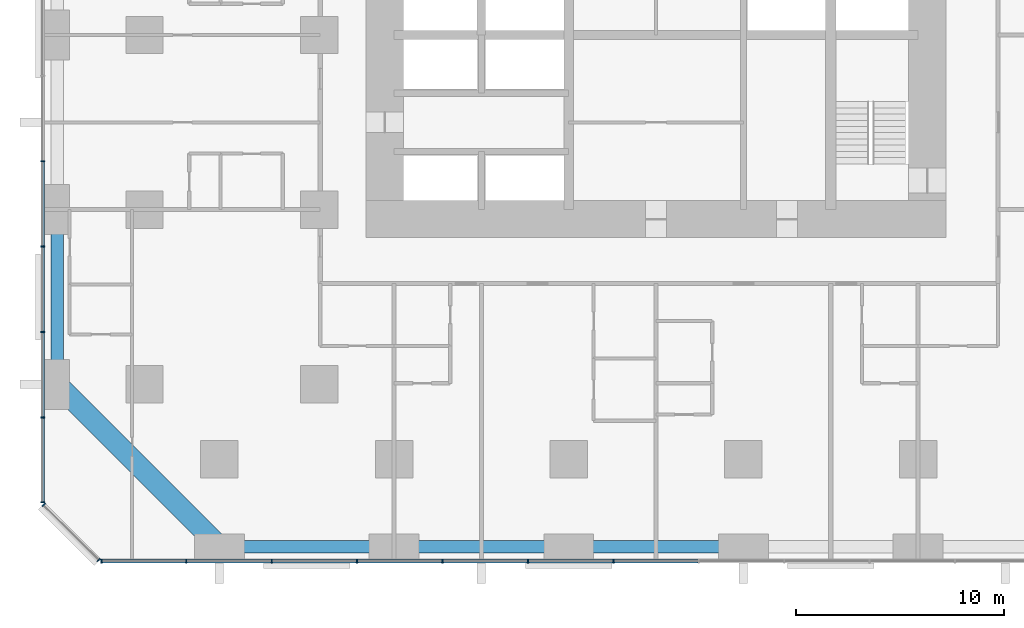
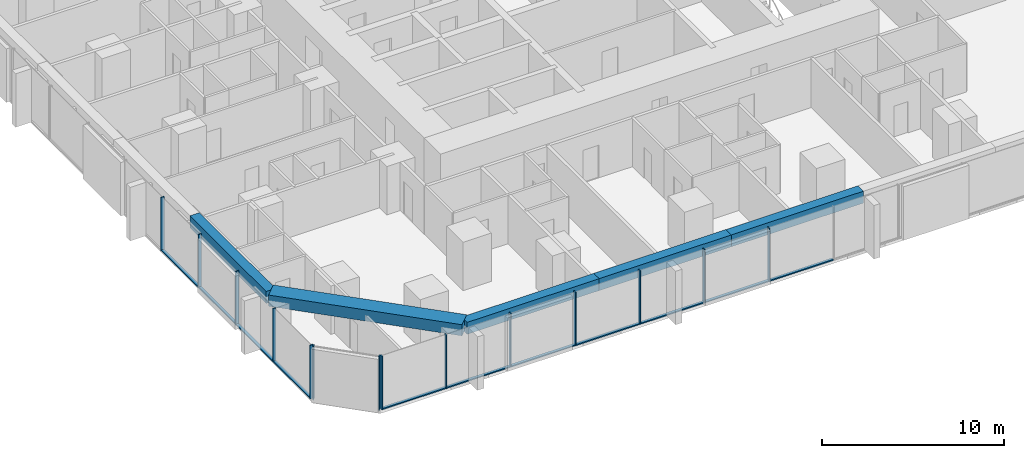
# One storey, part 2 of 17: 25 members, 5 beams, 3 elements without a shape of their own.
"""IFC4 building model written with IfcOpenShell, lengths in metres."""

from ifc_helpers import new_model, si_unit, direction, frame, origin, origin_2d, place, context, subcontext, project, spatial, rectangle, extrude, material, material_profile, profile_set, type_object, element, aggregate, save


model = new_model("IFC4")

# Units and contexts
model_context = context("Model", 3, precision=1e-05, world=origin(), true_north=direction((0.0, 1.0)))
body_context = subcontext(model_context, "Body", "Model", "MODEL_VIEW")
ifc_project = project(units=[si_unit("LENGTHUNIT", "METRE"), si_unit("AREAUNIT", "SQUARE_METRE"), si_unit("VOLUMEUNIT", "CUBIC_METRE"), si_unit("PLANEANGLEUNIT", "RADIAN"), si_unit("MASSUNIT", "GRAM", prefix="KILO")], contexts=[model_context])

# Site, building, storey
site_placement = place(None, origin())
site = spatial("IfcSite", under=ifc_project, at=site_placement, CompositionType="ELEMENT")
building_placement = place(site_placement, origin())
building = spatial("IfcBuilding", under=site, at=building_placement, Name="Dunama Terrace Hotel", CompositionType="ELEMENT")
storey_placement = place(building_placement, frame((0.0, 0.0, 34.199951171875)))
storey = spatial("IfcBuildingStorey", under=building, at=storey_placement, Name="L07", CompositionType="ELEMENT", Elevation=34.199951171875)

# Curtain wall, members
ifc_material_1 = material(Name="Aluminium curtain wall system", Category="aluminium")
curtain_wall_type = type_object("IfcCurtainWallType", Name="Unitised fritted glass wall CW-A", PredefinedType="NOTDEFINED", material=ifc_material_1)
curtain_wall_1_placement = place(storey_placement, origin())
curtain_wall_1 = element("IfcCurtainWall", 1, at=curtain_wall_1_placement, inside=storey, type_object=curtain_wall_type, Name="Unitised fritted glass wall CW-A L07", PredefinedType="NOTDEFINED")
ifc_material_2 = material(Name="Aluminium mullion", Category="aluminium")
ifc_material_profile_1 = material_profile(ifc_material_2, rectangle(XDim=0.06494140625, YDim=0.199951171875, at=origin_2d()), Name="CWA MULLION 65X200")
ifc_profile_set_1 = profile_set([ifc_material_profile_1], Name="Aluminium mullion")
member_type_1 = type_object("IfcMemberType", Name="CWA mullion 65x200", PredefinedType="MULLION", material=ifc_profile_set_1)
member_1_placement = place(storey_placement, frame((2.73291015625, -0.10009765625, 0.0), z_axis=(0.0, 0.0, 1.0), x_axis=(1.0, 0.0, 0.0)))
member_1 = element("IfcMember", 2, at=member_1_placement, type_object=member_type_1, Name="CWA mullion", PredefinedType="MULLION", context=body_context, shape_type="SweptSolid", body=[
    extrude(rectangle(XDim=0.06494140625, YDim=0.199951171875, at=origin_2d()), origin(), (0.0, 0.0, 1.0), 3.60009765625),
])
member_2_placement = place(storey_placement, frame((6.80810546875, -0.10009765625, 0.0), z_axis=(0.0, 0.0, 1.0), x_axis=(1.0, 0.0, 0.0)))
member_2 = element("IfcMember", 3, at=member_2_placement, type_object=member_type_1, Name="CWA mullion", PredefinedType="MULLION", context=body_context, shape_type="SweptSolid", body=[
    extrude(rectangle(XDim=0.06494140625, YDim=0.199951171875, at=origin_2d()), origin(), (0.0, 0.0, 1.0), 3.60009765625),
])
member_3_placement = place(storey_placement, frame((10.9150390625, -0.10009765625, 0.0), z_axis=(0.0, 0.0, 1.0), x_axis=(1.0, 0.0, 0.0)))
member_3 = element("IfcMember", 4, at=member_3_placement, type_object=member_type_1, Name="CWA mullion", PredefinedType="MULLION", context=body_context, shape_type="SweptSolid", body=[
    extrude(rectangle(XDim=0.06494140625, YDim=0.199951171875, at=origin_2d()), origin(), (0.0, 0.0, 1.0), 3.60009765625),
])
member_4_placement = place(storey_placement, frame((15.02294921875, -0.10009765625, 0.0), z_axis=(0.0, 0.0, 1.0), x_axis=(1.0, 0.0, 0.0)))
member_4 = element("IfcMember", 5, at=member_4_placement, type_object=member_type_1, Name="CWA mullion", PredefinedType="MULLION", context=body_context, shape_type="SweptSolid", body=[
    extrude(rectangle(XDim=0.06494140625, YDim=0.199951171875, at=origin_2d()), origin(), (0.0, 0.0, 1.0), 3.60009765625),
])
member_5_placement = place(storey_placement, frame((19.131103515625, -0.10009765625, 0.0), z_axis=(0.0, 0.0, 1.0), x_axis=(1.0, 0.0, 0.0)))
member_5 = element("IfcMember", 6, at=member_5_placement, type_object=member_type_1, Name="CWA mullion", PredefinedType="MULLION", context=body_context, shape_type="SweptSolid", body=[
    extrude(rectangle(XDim=0.06494140625, YDim=0.199951171875, at=origin_2d()), origin(), (0.0, 0.0, 1.0), 3.60009765625),
])
member_6_placement = place(storey_placement, frame((23.238037109375, -0.10009765625, 0.0), z_axis=(0.0, 0.0, 1.0), x_axis=(1.0, 0.0, 0.0)))
member_6 = element("IfcMember", 7, at=member_6_placement, type_object=member_type_1, Name="CWA mullion", PredefinedType="MULLION", context=body_context, shape_type="SweptSolid", body=[
    extrude(rectangle(XDim=0.06494140625, YDim=0.199951171875, at=origin_2d()), origin(), (0.0, 0.0, 1.0), 3.60009765625),
])
member_7_placement = place(storey_placement, frame((27.345947265625, -0.10009765625, 0.0), z_axis=(0.0, 0.0, 1.0), x_axis=(1.0, 0.0, 0.0)))
member_7 = element("IfcMember", 8, at=member_7_placement, type_object=member_type_1, Name="CWA mullion", PredefinedType="MULLION", context=body_context, shape_type="SweptSolid", body=[
    extrude(rectangle(XDim=0.06494140625, YDim=0.199951171875, at=origin_2d()), origin(), (0.0, 0.0, 1.0), 3.60009765625),
])

curtain_wall_2_placement = place(storey_placement, origin())
curtain_wall_2 = element("IfcCurtainWall", 9, at=curtain_wall_2_placement, inside=storey, type_object=curtain_wall_type, Name="Unitised fritted glass wall CW-A L07", PredefinedType="NOTDEFINED")
member_8_placement = place(storey_placement, frame((-0.10009765625, 19.131103515625, 0.0), z_axis=(0.0, 0.0, 1.0), x_axis=(0.0, -1.0, 0.0)))
member_8 = element("IfcMember", 10, at=member_8_placement, type_object=member_type_1, Name="CWA mullion", PredefinedType="MULLION", context=body_context, shape_type="SweptSolid", body=[
    extrude(rectangle(XDim=0.06494140625, YDim=0.199951171875, at=origin_2d()), origin(), (0.0, 0.0, 1.0), 3.60009765625),
])
member_9_placement = place(storey_placement, frame((-0.10009765625, 15.02294921875, 0.0), z_axis=(0.0, 0.0, 1.0), x_axis=(0.0, -1.0, 0.0)))
member_9 = element("IfcMember", 11, at=member_9_placement, type_object=member_type_1, Name="CWA mullion", PredefinedType="MULLION", context=body_context, shape_type="SweptSolid", body=[
    extrude(rectangle(XDim=0.06494140625, YDim=0.199951171875, at=origin_2d()), origin(), (0.0, 0.0, 1.0), 3.60009765625),
])
member_10_placement = place(storey_placement, frame((-0.10009765625, 10.9150390625, 0.0), z_axis=(0.0, 0.0, 1.0), x_axis=(0.0, -1.0, 0.0)))
member_10 = element("IfcMember", 12, at=member_10_placement, type_object=member_type_1, Name="CWA mullion", PredefinedType="MULLION", context=body_context, shape_type="SweptSolid", body=[
    extrude(rectangle(XDim=0.06494140625, YDim=0.199951171875, at=origin_2d()), origin(), (0.0, 0.0, 1.0), 3.60009765625),
])
member_11_placement = place(storey_placement, frame((-0.10009765625, 6.80810546875, 0.0), z_axis=(0.0, 0.0, 1.0), x_axis=(0.0, -1.0, 0.0)))
member_11 = element("IfcMember", 13, at=member_11_placement, type_object=member_type_1, Name="CWA mullion", PredefinedType="MULLION", context=body_context, shape_type="SweptSolid", body=[
    extrude(rectangle(XDim=0.06494140625, YDim=0.199951171875, at=origin_2d()), origin(), (0.0, 0.0, 1.0), 3.60009765625),
])
member_12_placement = place(storey_placement, frame((-0.10009765625, 2.73291015625, 0.0), z_axis=(0.0, 0.0, 1.0), x_axis=(0.0, -1.0, 0.0)))
member_12 = element("IfcMember", 14, at=member_12_placement, type_object=member_type_1, Name="CWA mullion", PredefinedType="MULLION", context=body_context, shape_type="SweptSolid", body=[
    extrude(rectangle(XDim=0.06494140625, YDim=0.199951171875, at=origin_2d()), origin(), (0.0, 0.0, 1.0), 3.60009765625),
])

curtain_wall_3_placement = place(storey_placement, origin())
curtain_wall_3 = element("IfcCurtainWall", 15, at=curtain_wall_3_placement, inside=storey, type_object=curtain_wall_type, Name="Unitised fritted glass wall CW-A L07", PredefinedType="NOTDEFINED")
member_13_placement = place(storey_placement, frame((-0.048095703125, 2.60595703125, 0.0), z_axis=(0.0, 0.0, 1.0), x_axis=(0.707106781187, -0.707106781187, 0.0)))
member_13 = element("IfcMember", 16, at=member_13_placement, type_object=member_type_1, Name="CWA mullion", PredefinedType="MULLION", context=body_context, shape_type="SweptSolid", body=[
    extrude(rectangle(XDim=0.06494140625, YDim=0.199951171875, at=origin_2d()), origin(), (0.0, 0.0, 1.0), 3.60009765625),
])
member_14_placement = place(storey_placement, frame((2.60595703125, -0.048095703125, 0.0), z_axis=(0.0, 0.0, 1.0), x_axis=(0.707106781187, -0.707106781187, 0.0)))
member_14 = element("IfcMember", 17, at=member_14_placement, type_object=member_type_1, Name="CWA mullion", PredefinedType="MULLION", context=body_context, shape_type="SweptSolid", body=[
    extrude(rectangle(XDim=0.06494140625, YDim=0.199951171875, at=origin_2d()), origin(), (0.0, 0.0, 1.0), 3.60009765625),
])
aggregate(curtain_wall_3, [member_13, member_14])

# Member
ifc_material_3 = material(Name="Aluminium transom", Category="aluminium")
ifc_material_profile_2 = material_profile(ifc_material_3, rectangle(XDim=0.179931640625, YDim=0.074951171875, at=origin_2d()), Name="CWA TRANSOM 180X75")
ifc_profile_set_2 = profile_set([ifc_material_profile_2], Name="Aluminium transom")
member_type_2 = type_object("IfcMemberType", Name="CWA transom 180x75", PredefinedType="USERDEFINED", material=ifc_profile_set_2)
member_15_placement = place(storey_placement, frame((2.764892578125, -0.10009765625, 0.03759765625), z_axis=(1.0, 0.0, 0.0), x_axis=(0.0, 1.0, 0.0)))
member_15 = element("IfcMember", 18, at=member_15_placement, type_object=member_type_2, Name="CWA transom", ObjectType="TRANSOM", PredefinedType="USERDEFINED", context=body_context, shape_type="SweptSolid", body=[
    extrude(rectangle(XDim=0.179931640625, YDim=0.074951171875, at=origin_2d()), origin(), (0.0, 0.0, 1.0), 4.010009765625),
])

member_16_placement = place(storey_placement, frame((6.840087890625, -0.10009765625, 0.03759765625), z_axis=(1.0, 0.0, 0.0), x_axis=(0.0, 1.0, 0.0)))
member_16 = element("IfcMember", 19, at=member_16_placement, type_object=member_type_2, Name="CWA transom", ObjectType="TRANSOM", PredefinedType="USERDEFINED", context=body_context, shape_type="SweptSolid", body=[
    extrude(rectangle(XDim=0.179931640625, YDim=0.074951171875, at=origin_2d()), origin(), (0.0, 0.0, 1.0), 4.04296875),
])

member_17_placement = place(storey_placement, frame((10.947998046875, -0.10009765625, 0.03759765625), z_axis=(1.0, 0.0, 0.0), x_axis=(0.0, 1.0, 0.0)))
member_17 = element("IfcMember", 20, at=member_17_placement, type_object=member_type_2, Name="CWA transom", ObjectType="TRANSOM", PredefinedType="USERDEFINED", context=body_context, shape_type="SweptSolid", body=[
    extrude(rectangle(XDim=0.179931640625, YDim=0.074951171875, at=origin_2d()), origin(), (0.0, 0.0, 1.0), 4.04296875),
])

member_18_placement = place(storey_placement, frame((15.055908203125, -0.10009765625, 0.03759765625), z_axis=(1.0, 0.0, 0.0), x_axis=(0.0, 1.0, 0.0)))
member_18 = element("IfcMember", 21, at=member_18_placement, type_object=member_type_2, Name="CWA transom", ObjectType="TRANSOM", PredefinedType="USERDEFINED", context=body_context, shape_type="SweptSolid", body=[
    extrude(rectangle(XDim=0.179931640625, YDim=0.074951171875, at=origin_2d()), origin(), (0.0, 0.0, 1.0), 4.0419921875),
])

member_19_placement = place(storey_placement, frame((19.1630859375, -0.10009765625, 0.03759765625), z_axis=(1.0, 0.0, 0.0), x_axis=(0.0, 1.0, 0.0)))
member_19 = element("IfcMember", 22, at=member_19_placement, type_object=member_type_2, Name="CWA transom", ObjectType="TRANSOM", PredefinedType="USERDEFINED", context=body_context, shape_type="SweptSolid", body=[
    extrude(rectangle(XDim=0.179931640625, YDim=0.074951171875, at=origin_2d()), origin(), (0.0, 0.0, 1.0), 4.04296875),
])

member_20_placement = place(storey_placement, frame((23.27099609375, -0.10009765625, 0.03759765625), z_axis=(1.0, 0.0, 0.0), x_axis=(0.0, 1.0, 0.0)))
member_20 = element("IfcMember", 23, at=member_20_placement, type_object=member_type_2, Name="CWA transom", ObjectType="TRANSOM", PredefinedType="USERDEFINED", context=body_context, shape_type="SweptSolid", body=[
    extrude(rectangle(XDim=0.179931640625, YDim=0.074951171875, at=origin_2d()), origin(), (0.0, 0.0, 1.0), 4.04296875),
])

member_21_placement = place(storey_placement, frame((27.37890625, -0.10009765625, 0.03759765625), z_axis=(1.0, 0.0, 0.0), x_axis=(0.0, 1.0, 0.0)))
member_21 = element("IfcMember", 24, at=member_21_placement, type_object=member_type_2, Name="CWA transom", ObjectType="TRANSOM", PredefinedType="USERDEFINED", context=body_context, shape_type="SweptSolid", body=[
    extrude(rectangle(XDim=0.179931640625, YDim=0.074951171875, at=origin_2d()), origin(), (0.0, 0.0, 1.0), 4.0419921875),
])

aggregate(curtain_wall_1, [member_1, member_2, member_3, member_4, member_5, member_6, member_7, member_15, member_16, member_17, member_18, member_19, member_20, member_21])

member_22_placement = place(storey_placement, frame((-0.10009765625, 19.097900390625, 0.03759765625), z_axis=(0.0, -1.0, 0.0), x_axis=(1.0, 0.0, 0.0)))
member_22 = element("IfcMember", 25, at=member_22_placement, type_object=member_type_2, Name="CWA transom", ObjectType="TRANSOM", PredefinedType="USERDEFINED", context=body_context, shape_type="SweptSolid", body=[
    extrude(rectangle(XDim=0.179931640625, YDim=0.074951171875, at=origin_2d()), origin(), (0.0, 0.0, 1.0), 4.0419921875),
])

member_23_placement = place(storey_placement, frame((-0.10009765625, 14.990966796875, 0.03759765625), z_axis=(0.0, -1.0, 0.0), x_axis=(1.0, 0.0, 0.0)))
member_23 = element("IfcMember", 26, at=member_23_placement, type_object=member_type_2, Name="CWA transom", ObjectType="TRANSOM", PredefinedType="USERDEFINED", context=body_context, shape_type="SweptSolid", body=[
    extrude(rectangle(XDim=0.179931640625, YDim=0.074951171875, at=origin_2d()), origin(), (0.0, 0.0, 1.0), 4.04296875),
])

member_24_placement = place(storey_placement, frame((-0.10009765625, 10.883056640625, 0.03759765625), z_axis=(0.0, -1.0, 0.0), x_axis=(1.0, 0.0, 0.0)))
member_24 = element("IfcMember", 27, at=member_24_placement, type_object=member_type_2, Name="CWA transom", ObjectType="TRANSOM", PredefinedType="USERDEFINED", context=body_context, shape_type="SweptSolid", body=[
    extrude(rectangle(XDim=0.179931640625, YDim=0.074951171875, at=origin_2d()), origin(), (0.0, 0.0, 1.0), 4.04296875),
])

member_25_placement = place(storey_placement, frame((-0.10009765625, 6.77490234375, 0.03759765625), z_axis=(0.0, -1.0, 0.0), x_axis=(1.0, 0.0, 0.0)))
member_25 = element("IfcMember", 28, at=member_25_placement, type_object=member_type_2, Name="CWA transom", ObjectType="TRANSOM", PredefinedType="USERDEFINED", context=body_context, shape_type="SweptSolid", body=[
    extrude(rectangle(XDim=0.179931640625, YDim=0.074951171875, at=origin_2d()), origin(), (0.0, 0.0, 1.0), 4.010009765625),
])

aggregate(curtain_wall_2, [member_8, member_9, member_10, member_11, member_12, member_22, member_23, member_24, member_25])

# Beams
ifc_material_4 = material(Name="Concrete C50/60", Category="concrete")
ifc_material_profile_3 = material_profile(ifc_material_4, rectangle(XDim=1.0, YDim=0.75, at=origin_2d()), Name="RC 1000x750")
ifc_profile_set_3 = profile_set([ifc_material_profile_3], Name="Concrete C50/60")
beam_type_1 = type_object("IfcBeamType", Name="Edge beam RC 1000x750", PredefinedType="SPANDREL", material=ifc_profile_set_3)
beam_1_placement = place(storey_placement, frame((8.39990234375, 0.60009765625, 3.22509765625), z_axis=(-0.707106781187, 0.707106781187, 0.0), x_axis=(-0.707106781187, -0.707106781187, 0.0)))
element("IfcBeam", 29, at=beam_1_placement, inside=storey, type_object=beam_type_1, Name="Corner edge beam under L08", PredefinedType="SPANDREL", context=body_context, shape_type="SweptSolid", body=[
    extrude(rectangle(XDim=1.0, YDim=0.75, at=origin_2d()), origin(), (0.0, 0.0, 1.0), 11.030517578125),
])
ifc_material_5 = material(Name="Concrete C40/50", Category="concrete")
ifc_material_profile_4 = material_profile(ifc_material_5, rectangle(XDim=0.60009765625, YDim=0.800048828125, at=origin_2d()), Name="RC 600x800")
ifc_profile_set_4 = profile_set([ifc_material_profile_4], Name="Concrete C40/50")
beam_type_2 = type_object("IfcBeamType", Name="Edge beam RC 600x800", PredefinedType="SPANDREL", material=ifc_profile_set_4)
for number, where, z_axis, x_axis, name in (
    (30, (0.60009765625, 8.39990234375, 3.199951171875), (0.0, 1.0, 0.0), (-1.0, 0.0, 0.0), "Edge beam under L08"),
    (31, (8.39990234375, 0.60009765625, 3.199951171875), (1.0, 0.0, 0.0), (0.0, 1.0, 0.0), "Edge beam under L08"),
):
    element("IfcBeam", number, at=place(storey_placement, frame(where, z_axis=z_axis, x_axis=x_axis)), inside=storey, type_object=beam_type_2, Name=name, PredefinedType="SPANDREL", context=body_context, shape_type="SweptSolid", body=[
        extrude(rectangle(XDim=0.60009765625, YDim=0.800048828125, at=origin_2d()), origin(), (0.0, 0.0, 1.0), 8.400146484375),
    ])
beam_2_placement = place(storey_placement, frame((16.800048828125, 0.60009765625, 3.199951171875), z_axis=(1.0, 0.0, 0.0), x_axis=(0.0, 1.0, 0.0)))
element("IfcBeam", 32, at=beam_2_placement, inside=storey, type_object=beam_type_2, Name="Edge beam under L08", PredefinedType="SPANDREL", context=body_context, shape_type="SweptSolid", body=[
    extrude(rectangle(XDim=0.60009765625, YDim=0.800048828125, at=origin_2d()), origin(), (0.0, 0.0, 1.0), 8.39990234375),
])
beam_3_placement = place(storey_placement, frame((25.199951171875, 0.60009765625, 3.199951171875), z_axis=(1.0, 0.0, 0.0), x_axis=(0.0, 1.0, 0.0)))
element("IfcBeam", 33, at=beam_3_placement, inside=storey, type_object=beam_type_2, Name="Edge beam under L08", PredefinedType="SPANDREL", context=body_context, shape_type="SweptSolid", body=[
    extrude(rectangle(XDim=0.60009765625, YDim=0.800048828125, at=origin_2d()), origin(), (0.0, 0.0, 1.0), 8.400146484375),
])

save(model, "model.ifc")
